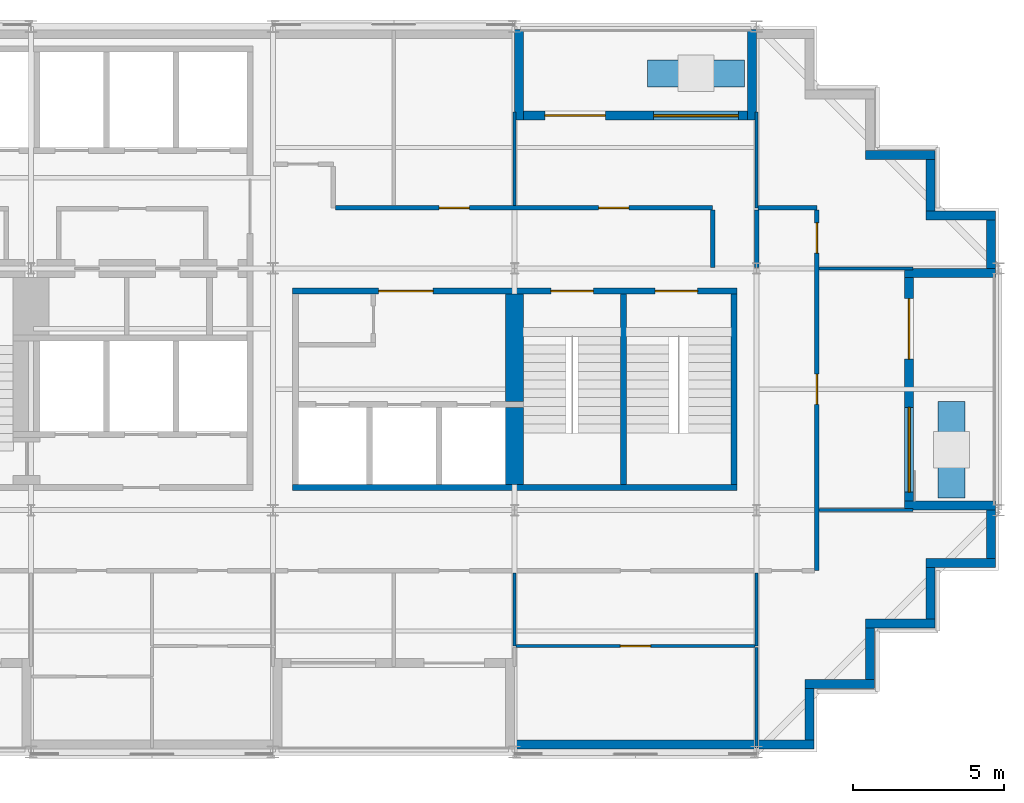
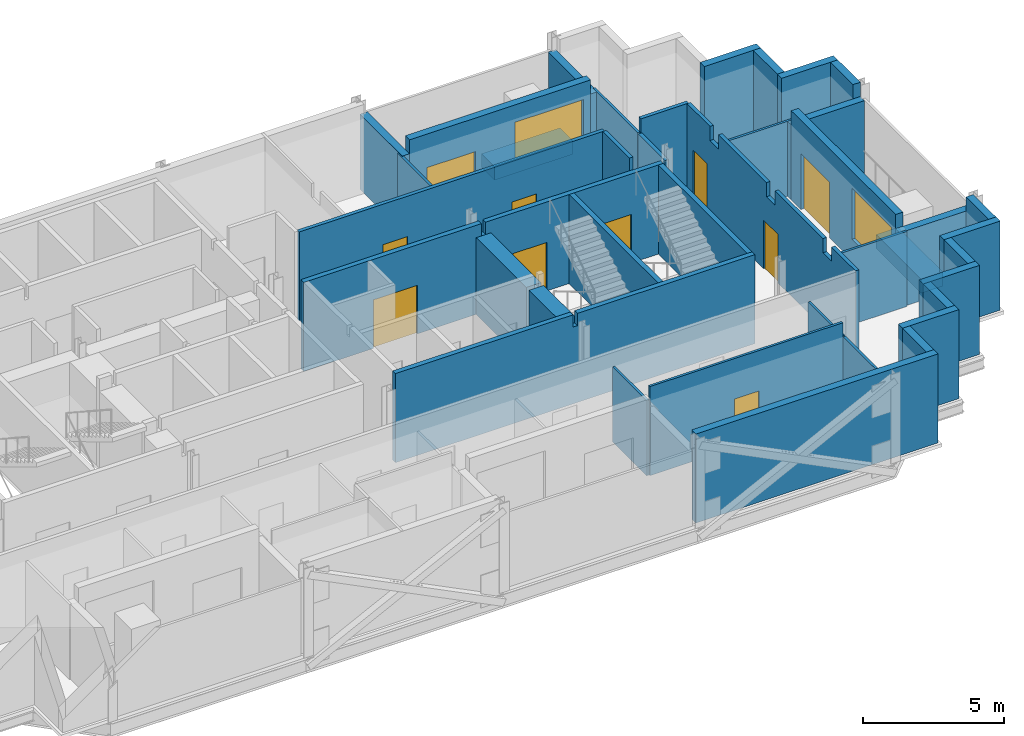
# One storey, part 7 of 10: 39 walls, 10 doors, 2 windows, 12 openings.
"""IFC4 building model written with IfcOpenShell, lengths in metres."""

from ifc_helpers import new_model, si_unit, direction, frame, frame_2d, origin, place, context, subcontext, project, spatial, polyline, rectangle, outline, extrude, material, layer, layer_set, type_object, element, fill, save


model = new_model("IFC4")

# Units and contexts
model_context = context("Model", 3, precision=1e-05, world=origin(), true_north=direction((0.0, 1.0)))
body_context = subcontext(model_context, "Body", "Model", "MODEL_VIEW")
ifc_project = project(units=[si_unit("LENGTHUNIT", "METRE"), si_unit("AREAUNIT", "SQUARE_METRE"), si_unit("VOLUMEUNIT", "CUBIC_METRE"), si_unit("PLANEANGLEUNIT", "RADIAN"), si_unit("MASSUNIT", "GRAM", prefix="KILO")], contexts=[model_context])

# Site, building, storey
site_placement = place(None, origin())
site = spatial("IfcSite", under=ifc_project, at=site_placement, CompositionType="ELEMENT")
building_placement = place(site_placement, origin())
building = spatial("IfcBuilding", under=site, at=building_placement, Name="Immortelle Media Tower", CompositionType="ELEMENT")
storey_placement = place(building_placement, frame((0.0, 0.0, 291.0)))
storey = spatial("IfcBuildingStorey", under=building, at=storey_placement, Name="L64", CompositionType="ELEMENT", Elevation=291.0)

# Wall, openings, doors
ifc_material_1 = material(Name="Fire-rated gypsum board", Category="gypsum")
ifc_layer_1 = layer(ifc_material_1, 0.012451171875)
ifc_material_2 = material(Name="Steel ASTM A653 SS Gr 50 stud frame with mineral wool", Category="steel")
ifc_layer_2 = layer(ifc_material_2, 0.125)
ifc_layer_3 = layer(ifc_material_1, 0.012451171875)
ifc_layer_set_1 = layer_set([ifc_layer_1, ifc_layer_2, ifc_layer_3], Name="Steel ASTM A653 SS Gr 50 stud frame with mineral wool")
wall_type_1 = type_object("IfcWallType", Name="Corridor wall 150", PredefinedType="PARTITIONING", material=ifc_layer_set_1)
wall_1_placement = place(storey_placement, frame((42.0, 6.0, 0.0), z_axis=(0.0, 0.0, 1.0), x_axis=(0.0, 1.0, 0.0)))
wall_1 = element("IfcWall", 1, at=wall_1_placement, inside=storey, type_object=wall_type_1, Name="Partition L64-019", PredefinedType="PARTITIONING", context=body_context, shape_type="SweptSolid", body=[
    extrude(outline(polyline([(0.0, 0.0), (11.925048828125, 0.0), (11.925048828125, 3.85009765625), (10.300048828125, 3.85009765625), (10.298095703125, 3.238037109375), (9.701904296875, 3.238037109375), (9.699951171875, 3.85009765625), (6.300048828125, 3.85009765625), (6.298095703125, 3.238037109375), (5.701904296875, 3.238037109375), (5.699951171875, 3.85009765625), (2.300048828125, 3.85009765625), (2.298095703125, 3.238037109375), (1.701904296875, 3.238037109375), (1.699951171875, 3.85009765625), (0.0, 3.85009765625), (0.0, 0.0)])), frame((0.0, 0.074951171875, 0.0), z_axis=(0.0, -1.0, 0.0), x_axis=(1.0, 0.0, 0.0)), (0.0, 0.0, 1.0), 0.14990234375),
])
opening_1_placement = place(wall_1_placement, frame((6.5, 0.0, 0.0), z_axis=(0.0, 0.0, 1.0), x_axis=(-1.0, 0.0, 0.0)))
opening_1 = element("IfcOpeningElement", 2, at=opening_1_placement, cuts=wall_1, Name="Opening X6-F015", PredefinedType="OPENING", context=body_context, shape_type="SweptSolid", body=[
    extrude(rectangle(XDim=1.0, YDim=2.10009765625, at=frame_2d((0.5, 1.050048828125))), frame((0.0, 0.0849609375, 0.0), z_axis=(0.0, -1.0, 0.0), x_axis=(1.0, 0.0, 0.0)), (0.0, 0.0, 1.0), 0.169921875),
])
opening_2_placement = place(wall_1_placement, frame((11.5, 0.0, 0.0), z_axis=(0.0, 0.0, 1.0), x_axis=(-1.0, 0.0, 0.0)))
opening_2 = element("IfcOpeningElement", 3, at=opening_2_placement, cuts=wall_1, Name="Opening X6-F018", PredefinedType="OPENING", context=body_context, shape_type="SweptSolid", body=[
    extrude(rectangle(XDim=1.0, YDim=2.10009765625, at=frame_2d((0.5, 1.050048828125))), frame((0.0, 0.0849609375, 0.0), z_axis=(0.0, -1.0, 0.0), x_axis=(1.0, 0.0, 0.0)), (0.0, 0.0, 1.0), 0.169921875),
])
ifc_material_3 = material(Name="Timber veneered door leaf, galvanised steel frame ASTM A653", Category="steel")
door_type_1 = type_object("IfcDoorType", Name="Room door 1000 x 2100", OperationType="NOTDEFINED", PredefinedType="DOOR", material=ifc_material_3)
door_1_placement = place(opening_1_placement, origin())
door_1 = element("IfcDoor", 4, at=door_1_placement, inside=storey, type_object=door_type_1, Name="Door X6-F015", OperationType="SINGLE_SWING_RIGHT", OverallHeight=2.10009765625, OverallWidth=1.0, PredefinedType="DOOR", context=body_context, shape_type="SweptSolid", body=[
    extrude(rectangle(XDim=1.0, YDim=2.10009765625, at=frame_2d((0.5, 1.050048828125))), frame((0.0, 0.02490234375, 0.0), z_axis=(0.0, -1.0, 0.0), x_axis=(1.0, 0.0, 0.0)), (0.0, 0.0, 1.0), 0.050048828125),
])
fill(opening_1, door_1)
door_2_placement = place(opening_2_placement, origin())
door_2 = element("IfcDoor", 5, at=door_2_placement, inside=storey, type_object=door_type_1, Name="Door X6-F018", OperationType="SINGLE_SWING_RIGHT", OverallHeight=2.10009765625, OverallWidth=1.0, PredefinedType="DOOR", context=body_context, shape_type="SweptSolid", body=[
    extrude(rectangle(XDim=1.0, YDim=2.10009765625, at=frame_2d((0.5, 1.050048828125))), frame((0.0, 0.02490234375, 0.0), z_axis=(0.0, -1.0, 0.0), x_axis=(1.0, 0.0, 0.0)), (0.0, 0.0, 1.0), 0.050048828125),
])
fill(opening_2, door_2)

# Walls
wall_2_placement = place(storey_placement, frame((38.550048828125, 16.030029296875, 0.0), z_axis=(0.0, 0.0, 1.0), x_axis=(0.0, 1.0, 0.0)))
element("IfcWall", 6, at=wall_2_placement, inside=storey, type_object=wall_type_1, Name="Partition L64-027", PredefinedType="PARTITIONING", context=body_context, shape_type="SweptSolid", body=[
    extrude(rectangle(XDim=1.89501953125, YDim=0.14990234375, at=frame_2d((0.947509765625, 0.0))), origin(), (0.0, 0.0, 1.0), 3.85009765625),
])
wall_3_placement = place(storey_placement, frame((40.0, 16.030029296875, 0.0), z_axis=(0.0, 0.0, 1.0), x_axis=(0.0, 1.0, 0.0)))
element("IfcWall", 7, at=wall_3_placement, inside=storey, type_object=wall_type_1, Name="Partition L64-028", PredefinedType="PARTITIONING", context=body_context, shape_type="SweptSolid", body=[
    extrude(rectangle(XDim=1.89501953125, YDim=0.14990234375, at=frame_2d((0.947509765625, 0.0))), origin(), (0.0, 0.0, 1.0), 3.238037109375),
])

# Wall, openings, doors
wall_4_placement = place(storey_placement, frame((26.074951171875, 18.0, 0.0), z_axis=(0.0, 0.0, 1.0), x_axis=(1.0, 0.0, 0.0)))
wall_4 = element("IfcWall", 8, at=wall_4_placement, inside=storey, type_object=wall_type_1, Name="Partition L64-029", PredefinedType="PARTITIONING", context=body_context, shape_type="SweptSolid", body=[
    extrude(rectangle(XDim=12.47509765625, YDim=0.14990234375, at=frame_2d((6.237548828125, 0.0))), origin(), (0.0, 0.0, 1.0), 3.85009765625),
])
opening_3_placement = place(wall_4_placement, frame((8.699951171875, 0.0, 0.0)))
opening_3 = element("IfcOpeningElement", 9, at=opening_3_placement, cuts=wall_4, Name="Opening X6-F019", PredefinedType="OPENING", context=body_context, shape_type="SweptSolid", body=[
    extrude(rectangle(XDim=1.0, YDim=2.10009765625, at=frame_2d((0.5, 1.050048828125))), frame((0.0, 0.0849609375, 0.0), z_axis=(0.0, -1.0, 0.0), x_axis=(1.0, 0.0, 0.0)), (0.0, 0.0, 1.0), 0.169921875),
])
opening_4_placement = place(wall_4_placement, frame((3.425048828125, 0.0, 0.0)))
opening_4 = element("IfcOpeningElement", 10, at=opening_4_placement, cuts=wall_4, Name="Opening X6-F021", PredefinedType="OPENING", context=body_context, shape_type="SweptSolid", body=[
    extrude(rectangle(XDim=1.0, YDim=2.10009765625, at=frame_2d((0.5, 1.050048828125))), frame((0.0, 0.0849609375, 0.0), z_axis=(0.0, -1.0, 0.0), x_axis=(1.0, 0.0, 0.0)), (0.0, 0.0, 1.0), 0.169921875),
])
door_3_placement = place(opening_3_placement, origin())
door_3 = element("IfcDoor", 11, at=door_3_placement, inside=storey, type_object=door_type_1, Name="Door X6-F019", OperationType="SINGLE_SWING_LEFT", OverallHeight=2.10009765625, OverallWidth=1.0, PredefinedType="DOOR", context=body_context, shape_type="SweptSolid", body=[
    extrude(rectangle(XDim=1.0, YDim=2.10009765625, at=frame_2d((0.5, 1.050048828125))), frame((0.0, 0.02490234375, 0.0), z_axis=(0.0, -1.0, 0.0), x_axis=(1.0, 0.0, 0.0)), (0.0, 0.0, 1.0), 0.050048828125),
])
fill(opening_3, door_3)
door_4_placement = place(opening_4_placement, origin())
door_4 = element("IfcDoor", 12, at=door_4_placement, inside=storey, type_object=door_type_1, Name="Door X6-F021", OperationType="SINGLE_SWING_RIGHT", OverallHeight=2.10009765625, OverallWidth=1.0, PredefinedType="DOOR", context=body_context, shape_type="SweptSolid", body=[
    extrude(rectangle(XDim=1.0, YDim=2.10009765625, at=frame_2d((0.5, 1.050048828125))), frame((0.0, 0.02490234375, 0.0), z_axis=(0.0, -1.0, 0.0), x_axis=(1.0, 0.0, 0.0)), (0.0, 0.0, 1.0), 0.050048828125),
])
fill(opening_4, door_4)

# Walls
wall_5_placement = place(storey_placement, frame((40.050048828125, 18.0, 0.0), z_axis=(0.0, 0.0, 1.0), x_axis=(1.0, 0.0, 0.0)))
element("IfcWall", 13, at=wall_5_placement, inside=storey, type_object=wall_type_1, Name="Partition L64-033", PredefinedType="PARTITIONING", context=body_context, shape_type="SweptSolid", body=[
    extrude(rectangle(XDim=1.949951171875, YDim=0.14990234375, at=frame_2d((0.97509765625, 0.0))), origin(), (0.0, 0.0, 1.0), 3.85009765625),
])
ifc_material_4 = material(Name="Pale aluminium cladding panel", Category="aluminium")
ifc_layer_4 = layer(ifc_material_4, 0.030029296875)
ifc_layer_5 = layer(ifc_material_2, 0.257568359375)
ifc_material_5 = material(Name="Moisture-resistant gypsum board", Category="gypsum")
ifc_layer_6 = layer(ifc_material_5, 0.012451171875)
ifc_layer_set_2 = layer_set([ifc_layer_4, ifc_layer_5, ifc_layer_6], Name="Steel ASTM A653 SS Gr 50 stud frame with mineral wool")
wall_type_2 = type_object("IfcWallType", Name="Facade wall 300", PredefinedType="SOLIDWALL", material=ifc_layer_set_2)
wall_6_placement = place(storey_placement, frame((32.0, 0.25, 0.0), z_axis=(0.0, 0.0, 1.0), x_axis=(1.0, 0.0, 0.0)))
element("IfcWall", 14, at=wall_6_placement, inside=storey, type_object=wall_type_2, Name="Facade wall L64 S6", PredefinedType="SOLIDWALL", context=body_context, shape_type="SweptSolid", body=[
    extrude(rectangle(XDim=9.89990234375, YDim=0.300048828125, at=frame_2d((4.949951171875, 0.0))), origin(), (0.0, 0.0, 1.0), 3.85009765625),
])
wall_7_placement = place(storey_placement, frame((41.75, 0.39990234375, 0.0), z_axis=(0.0, 0.0, 1.0), x_axis=(0.0, 1.0, 0.0)))
element("IfcWall", 15, at=wall_7_placement, inside=storey, type_object=wall_type_2, Name="Facade wall L64 E7", PredefinedType="SOLIDWALL", context=body_context, shape_type="SweptSolid", body=[
    extrude(rectangle(XDim=1.7001953125, YDim=0.300048828125, at=frame_2d((0.85009765625, 0.0))), origin(), (0.0, 0.0, 1.0), 3.85009765625),
])
wall_8_placement = place(storey_placement, frame((41.60009765625, 2.25, 0.0), z_axis=(0.0, 0.0, 1.0), x_axis=(1.0, 0.0, 0.0)))
element("IfcWall", 16, at=wall_8_placement, inside=storey, type_object=wall_type_2, Name="Facade wall L64 S8", PredefinedType="SOLIDWALL", context=body_context, shape_type="SweptSolid", body=[
    extrude(rectangle(XDim=2.2998046875, YDim=0.300048828125, at=frame_2d((1.14990234375, 0.0))), origin(), (0.0, 0.0, 1.0), 3.85009765625),
])
wall_9_placement = place(storey_placement, frame((43.75, 2.39990234375, 0.0), z_axis=(0.0, 0.0, 1.0), x_axis=(0.0, 1.0, 0.0)))
element("IfcWall", 17, at=wall_9_placement, inside=storey, type_object=wall_type_2, Name="Facade wall L64 E9", PredefinedType="SOLIDWALL", context=body_context, shape_type="SweptSolid", body=[
    extrude(rectangle(XDim=1.7001953125, YDim=0.300048828125, at=frame_2d((0.85009765625, 0.0))), origin(), (0.0, 0.0, 1.0), 3.85009765625),
])
wall_10_placement = place(storey_placement, frame((43.60009765625, 4.25, 0.0), z_axis=(0.0, 0.0, 1.0), x_axis=(1.0, 0.0, 0.0)))
element("IfcWall", 18, at=wall_10_placement, inside=storey, type_object=wall_type_2, Name="Facade wall L64 S10", PredefinedType="SOLIDWALL", context=body_context, shape_type="SweptSolid", body=[
    extrude(rectangle(XDim=2.2998046875, YDim=0.300048828125, at=frame_2d((1.14990234375, 0.0))), origin(), (0.0, 0.0, 1.0), 3.85009765625),
])
wall_11_placement = place(storey_placement, frame((45.75, 4.39990234375, 0.0), z_axis=(0.0, 0.0, 1.0), x_axis=(0.0, 1.0, 0.0)))
element("IfcWall", 19, at=wall_11_placement, inside=storey, type_object=wall_type_2, Name="Facade wall L64 E11", PredefinedType="SOLIDWALL", context=body_context, shape_type="SweptSolid", body=[
    extrude(rectangle(XDim=1.7001953125, YDim=0.300048828125, at=frame_2d((0.85009765625, 0.0))), origin(), (0.0, 0.0, 1.0), 3.85009765625),
])
wall_12_placement = place(storey_placement, frame((45.60009765625, 6.25, 0.0), z_axis=(0.0, 0.0, 1.0), x_axis=(1.0, 0.0, 0.0)))
element("IfcWall", 20, at=wall_12_placement, inside=storey, type_object=wall_type_2, Name="Facade wall L64 S12", PredefinedType="SOLIDWALL", context=body_context, shape_type="SweptSolid", body=[
    extrude(rectangle(XDim=2.2998046875, YDim=0.300048828125, at=frame_2d((1.14990234375, 0.0))), origin(), (0.0, 0.0, 1.0), 3.85009765625),
])
wall_13_placement = place(storey_placement, frame((47.75, 6.39990234375, 0.0), z_axis=(0.0, 0.0, 1.0), x_axis=(0.0, 1.0, 0.0)))
element("IfcWall", 21, at=wall_13_placement, inside=storey, type_object=wall_type_2, Name="Facade wall L64 E13", PredefinedType="SOLIDWALL", context=body_context, shape_type="SweptSolid", body=[
    extrude(rectangle(XDim=1.60009765625, YDim=0.300048828125, at=frame_2d((0.800048828125, 0.0))), origin(), (0.0, 0.0, 1.0), 3.85009765625),
])

# Wall, openings, door, window
wall_14_placement = place(storey_placement, frame((45.050048828125, 8.300048828125, 0.0), z_axis=(0.0, 0.0, 1.0), x_axis=(0.0, 1.0, 0.0)))
wall_14 = element("IfcWall", 22, at=wall_14_placement, inside=storey, type_object=wall_type_2, Name="Loggia wall L64 E13", PredefinedType="SOLIDWALL", context=body_context, shape_type="SweptSolid", body=[
    extrude(rectangle(XDim=7.39990234375, YDim=0.300048828125, at=frame_2d((3.699951171875, 0.0))), origin(), (0.0, 0.0, 1.0), 3.85009765625),
])
opening_5_placement = place(wall_14_placement, frame((0.300048828125, 0.0, 0.89990234375)))
opening_5 = element("IfcOpeningElement", 23, at=opening_5_placement, cuts=wall_14, Name="Opening W1", PredefinedType="OPENING", context=body_context, shape_type="SweptSolid", body=[
    extrude(rectangle(XDim=2.800048828125, YDim=2.199951171875, at=frame_2d((1.39990234375, 1.10009765625))), frame((0.0, 0.159912109375, 0.0), z_axis=(0.0, -1.0, 0.0), x_axis=(1.0, 0.0, 0.0)), (0.0, 0.0, 1.0), 0.320068359375),
])
opening_6_placement = place(wall_14_placement, frame((4.699951171875, 0.0, 0.0)))
opening_6 = element("IfcOpeningElement", 24, at=opening_6_placement, cuts=wall_14, Name="Opening X6-E003", PredefinedType="OPENING", context=body_context, shape_type="SweptSolid", body=[
    extrude(rectangle(XDim=2.0, YDim=2.39990234375, at=frame_2d((1.0, 1.199951171875))), frame((0.0, 0.159912109375, 0.0), z_axis=(0.0, -1.0, 0.0), x_axis=(1.0, 0.0, 0.0)), (0.0, 0.0, 1.0), 0.320068359375),
])
ifc_material_6 = material(Name="Aluminium frame, glazed leaves", Category="aluminium")
door_type_2 = type_object("IfcDoorType", Name="Loggia door 2000 x 2400", OperationType="DOUBLE_DOOR_SINGLE_SWING", PredefinedType="DOOR", material=ifc_material_6)
door_5_placement = place(opening_6_placement, origin())
door_5 = element("IfcDoor", 25, at=door_5_placement, inside=storey, type_object=door_type_2, Name="Door X6-E003", OperationType="DOUBLE_DOOR_SINGLE_SWING", OverallHeight=2.39990234375, OverallWidth=2.0, PredefinedType="DOOR", context=body_context, shape_type="SweptSolid", body=[
    extrude(rectangle(XDim=2.0, YDim=2.39990234375, at=frame_2d((1.0, 1.199951171875))), frame((0.0, 0.02490234375, 0.0), z_axis=(0.0, -1.0, 0.0), x_axis=(1.0, 0.0, 0.0)), (0.0, 0.0, 1.0), 0.050048828125),
])
fill(opening_6, door_5)
ifc_material_7 = material(Name="Aluminium frame", Category="aluminium")
window_type = type_object("IfcWindowType", Name="Window 2800 x 2200", PartitioningType="SINGLE_PANEL", PredefinedType="WINDOW", material=ifc_material_7)
window_1_placement = place(opening_5_placement, origin())
window_1 = element("IfcWindow", 26, at=window_1_placement, inside=storey, type_object=window_type, Name="Window L64 L64-R13-B0", OverallHeight=2.199951171875, OverallWidth=2.800048828125, PartitioningType="SINGLE_PANEL", PredefinedType="WINDOW", context=body_context, shape_type="SweptSolid", body=[
    extrude(rectangle(XDim=2.800048828125, YDim=2.199951171875, at=frame_2d((1.39990234375, 1.10009765625))), frame((0.0, 0.030029296875, 0.0), z_axis=(0.0, -1.0, 0.0), x_axis=(1.0, 0.0, 0.0)), (0.0, 0.0, 1.0), 0.06005859375),
])
fill(opening_5, window_1)

# Walls
for number, where, z_axis, x_axis, name in (
    (27, (47.89990234375, 8.14990234375, 0.0), (0.0, 0.0, 1.0), (-1.0, 0.0, 0.0), "Loggia cheek wall L64 E"),
    (28, (47.89990234375, 15.85009765625, 0.0), (0.0, 0.0, 1.0), (-1.0, 0.0, 0.0), "Loggia cheek wall L64 E"),
):
    element("IfcWall", number, at=place(storey_placement, frame(where, z_axis=z_axis, x_axis=x_axis)), inside=storey, type_object=wall_type_2, Name=name, PredefinedType="SOLIDWALL", context=body_context, shape_type="SweptSolid", body=[
        extrude(rectangle(XDim=3.0, YDim=0.300048828125, at=frame_2d((1.5, 0.0))), origin(), (0.0, 0.0, 1.0), 3.237060546875),
    ])
wall_15_placement = place(storey_placement, frame((47.75, 16.0, 0.0), z_axis=(0.0, 0.0, 1.0), x_axis=(0.0, 1.0, 0.0)))
element("IfcWall", 29, at=wall_15_placement, inside=storey, type_object=wall_type_2, Name="Facade wall L64 E13", PredefinedType="SOLIDWALL", context=body_context, shape_type="SweptSolid", body=[
    extrude(rectangle(XDim=1.60009765625, YDim=0.300048828125, at=frame_2d((0.800048828125, 0.0))), origin(), (0.0, 0.0, 1.0), 3.85009765625),
])
wall_16_placement = place(storey_placement, frame((47.89990234375, 17.75, 0.0), z_axis=(0.0, 0.0, 1.0), x_axis=(-1.0, 0.0, 0.0)))
element("IfcWall", 30, at=wall_16_placement, inside=storey, type_object=wall_type_2, Name="Facade wall L64 N14", PredefinedType="SOLIDWALL", context=body_context, shape_type="SweptSolid", body=[
    extrude(rectangle(XDim=2.2998046875, YDim=0.300048828125, at=frame_2d((1.14990234375, 0.0))), origin(), (0.0, 0.0, 1.0), 3.85009765625),
])
wall_17_placement = place(storey_placement, frame((45.75, 17.89990234375, 0.0), z_axis=(0.0, 0.0, 1.0), x_axis=(0.0, 1.0, 0.0)))
element("IfcWall", 31, at=wall_17_placement, inside=storey, type_object=wall_type_2, Name="Facade wall L64 E15", PredefinedType="SOLIDWALL", context=body_context, shape_type="SweptSolid", body=[
    extrude(rectangle(XDim=1.7001953125, YDim=0.300048828125, at=frame_2d((0.85009765625, 0.0))), origin(), (0.0, 0.0, 1.0), 3.85009765625),
])
wall_18_placement = place(storey_placement, frame((45.89990234375, 19.75, 0.0), z_axis=(0.0, 0.0, 1.0), x_axis=(-1.0, 0.0, 0.0)))
element("IfcWall", 32, at=wall_18_placement, inside=storey, type_object=wall_type_2, Name="Facade wall L64 N16", PredefinedType="SOLIDWALL", context=body_context, shape_type="SweptSolid", body=[
    extrude(rectangle(XDim=2.2998046875, YDim=0.300048828125, at=frame_2d((1.14990234375, 0.0))), origin(), (0.0, 0.0, 1.0), 3.85009765625),
])

# Wall, openings, door, window
wall_19_placement = place(storey_placement, frame((39.699951171875, 21.050048828125, 0.0), z_axis=(0.0, 0.0, 1.0), x_axis=(-1.0, 0.0, 0.0)))
wall_19 = element("IfcWall", 33, at=wall_19_placement, inside=storey, type_object=wall_type_2, Name="Loggia wall L64 N20", PredefinedType="SOLIDWALL", context=body_context, shape_type="SweptSolid", body=[
    extrude(rectangle(XDim=7.39990234375, YDim=0.300048828125, at=frame_2d((3.699951171875, 0.0))), origin(), (0.0, 0.0, 1.0), 3.85009765625),
])
opening_7_placement = place(wall_19_placement, frame((0.300048828125, 0.0, 0.89990234375)))
opening_7 = element("IfcOpeningElement", 34, at=opening_7_placement, cuts=wall_19, Name="Opening W1", PredefinedType="OPENING", context=body_context, shape_type="SweptSolid", body=[
    extrude(rectangle(XDim=2.800048828125, YDim=2.199951171875, at=frame_2d((1.39990234375, 1.10009765625))), frame((0.0, 0.159912109375, 0.0), z_axis=(0.0, -1.0, 0.0), x_axis=(1.0, 0.0, 0.0)), (0.0, 0.0, 1.0), 0.320068359375),
])
opening_8_placement = place(wall_19_placement, frame((4.699951171875, 0.0, 0.0)))
opening_8 = element("IfcOpeningElement", 35, at=opening_8_placement, cuts=wall_19, Name="Opening X6-E004", PredefinedType="OPENING", context=body_context, shape_type="SweptSolid", body=[
    extrude(rectangle(XDim=2.0, YDim=2.39990234375, at=frame_2d((1.0, 1.199951171875))), frame((0.0, 0.159912109375, 0.0), z_axis=(0.0, -1.0, 0.0), x_axis=(1.0, 0.0, 0.0)), (0.0, 0.0, 1.0), 0.320068359375),
])
door_6_placement = place(opening_8_placement, origin())
door_6 = element("IfcDoor", 36, at=door_6_placement, inside=storey, type_object=door_type_2, Name="Door X6-E004", OperationType="DOUBLE_DOOR_SINGLE_SWING", OverallHeight=2.39990234375, OverallWidth=2.0, PredefinedType="DOOR", context=body_context, shape_type="SweptSolid", body=[
    extrude(rectangle(XDim=2.0, YDim=2.39990234375, at=frame_2d((1.0, 1.199951171875))), frame((0.0, 0.02490234375, 0.0), z_axis=(0.0, -1.0, 0.0), x_axis=(1.0, 0.0, 0.0)), (0.0, 0.0, 1.0), 0.050048828125),
])
fill(opening_8, door_6)
window_2_placement = place(opening_7_placement, origin())
window_2 = element("IfcWindow", 37, at=window_2_placement, inside=storey, type_object=window_type, Name="Window L64 L64-R20-B0", OverallHeight=2.199951171875, OverallWidth=2.800048828125, PartitioningType="SINGLE_PANEL", PredefinedType="WINDOW", context=body_context, shape_type="SweptSolid", body=[
    extrude(rectangle(XDim=2.800048828125, YDim=2.199951171875, at=frame_2d((1.39990234375, 1.10009765625))), frame((0.0, 0.030029296875, 0.0), z_axis=(0.0, -1.0, 0.0), x_axis=(1.0, 0.0, 0.0)), (0.0, 0.0, 1.0), 0.06005859375),
])
fill(opening_7, window_2)

# Walls
wall_20_placement = place(storey_placement, frame((39.85009765625, 23.89990234375, 0.0), z_axis=(0.0, 0.0, 1.0), x_axis=(0.0, -1.0, 0.0)))
element("IfcWall", 38, at=wall_20_placement, inside=storey, type_object=wall_type_2, Name="Loggia cheek wall L64 N", PredefinedType="SOLIDWALL", context=body_context, shape_type="SweptSolid", body=[
    extrude(rectangle(XDim=3.0, YDim=0.300048828125, at=frame_2d((1.5, 0.0))), origin(), (0.0, 0.0, 1.0), 3.237060546875),
])
wall_21_placement = place(storey_placement, frame((32.14990234375, 23.89990234375, 0.0), z_axis=(0.0, 0.0, 1.0), x_axis=(0.0, -1.0, 0.0)))
element("IfcWall", 39, at=wall_21_placement, inside=storey, type_object=wall_type_2, Name="Loggia cheek wall L64 N", PredefinedType="SOLIDWALL", context=body_context, shape_type="SweptSolid", body=[
    extrude(rectangle(XDim=3.0, YDim=0.300048828125, at=frame_2d((1.5, 0.0))), origin(), (0.0, 0.0, 1.0), 3.2470703125),
])
ifc_material_8 = material(Name="Gypsum board", Category="gypsum")
ifc_layer_7 = layer(ifc_material_8, 0.012451171875)
ifc_layer_8 = layer(ifc_material_2, 0.074951171875)
ifc_layer_9 = layer(ifc_material_8, 0.012451171875)
ifc_layer_set_3 = layer_set([ifc_layer_7, ifc_layer_8, ifc_layer_9], Name="Steel ASTM A653 SS Gr 50 stud frame with mineral wool")
wall_type_3 = type_object("IfcWallType", Name="Partition 100", PredefinedType="PARTITIONING", material=ifc_layer_set_3)
wall_22_placement = place(storey_placement, frame((40.0, 0.1298828125, 0.0), z_axis=(0.0, 0.0, 1.0), x_axis=(0.0, 1.0, 0.0)))
element("IfcWall", 40, at=wall_22_placement, inside=storey, type_object=wall_type_3, Name="Partition L64-002", PredefinedType="PARTITIONING", context=body_context, shape_type="SweptSolid", body=[
    extrude(rectangle(XDim=3.320068359375, YDim=0.10009765625, at=frame_2d((1.66015625, 0.0))), origin(), (0.0, 0.0, 1.0), 3.238037109375),
])

# Wall, opening, door
wall_23_placement = place(storey_placement, frame((32.050048828125, 3.5, 0.0), z_axis=(0.0, 0.0, 1.0), x_axis=(1.0, 0.0, 0.0)))
wall_23 = element("IfcWall", 41, at=wall_23_placement, inside=storey, type_object=wall_type_3, Name="Partition L64-014", PredefinedType="PARTITIONING", context=body_context, shape_type="SweptSolid", body=[
    extrude(rectangle(XDim=7.89990234375, YDim=0.10009765625, at=frame_2d((3.949951171875, 0.0))), origin(), (0.0, 0.0, 1.0), 3.85009765625),
])
opening_9_placement = place(wall_23_placement, frame((3.449951171875, 0.0, 0.0)))
opening_9 = element("IfcOpeningElement", 42, at=opening_9_placement, cuts=wall_23, Name="Opening X6-F006", PredefinedType="OPENING", context=body_context, shape_type="SweptSolid", body=[
    extrude(rectangle(XDim=1.0, YDim=2.10009765625, at=frame_2d((0.5, 1.050048828125))), frame((0.0, 0.06005859375, 0.0), z_axis=(0.0, -1.0, 0.0), x_axis=(1.0, 0.0, 0.0)), (0.0, 0.0, 1.0), 0.1201171875),
])
door_7_placement = place(opening_9_placement, origin())
door_7 = element("IfcDoor", 43, at=door_7_placement, inside=storey, type_object=door_type_1, Name="Door X6-F006", OperationType="SINGLE_SWING_RIGHT", OverallHeight=2.10009765625, OverallWidth=1.0, PredefinedType="DOOR", context=body_context, shape_type="SweptSolid", body=[
    extrude(rectangle(XDim=1.0, YDim=2.10009765625, at=frame_2d((0.5, 1.050048828125))), frame((0.0, 0.02490234375, 0.0), z_axis=(0.0, -1.0, 0.0), x_axis=(1.0, 0.0, 0.0)), (0.0, 0.0, 1.0), 0.050048828125),
])
fill(opening_9, door_7)

# Walls
for number, where, z_axis, x_axis, name in (
    (44, (32.0, 3.5, 0.0), (0.0, 0.0, 1.0), (0.0, 1.0, 0.0), "Partition L64-015"),
    (45, (40.0, 3.5, 0.0), (0.0, 0.0, 1.0), (0.0, 1.0, 0.0), "Partition L64-016"),
):
    element("IfcWall", number, at=place(storey_placement, frame(where, z_axis=z_axis, x_axis=x_axis)), inside=storey, type_object=wall_type_3, Name=name, PredefinedType="PARTITIONING", context=body_context, shape_type="SweptSolid", body=[
        extrude(rectangle(XDim=2.425048828125, YDim=0.10009765625, at=frame_2d((1.21240234375, 0.0))), origin(), (0.0, 0.0, 1.0), 3.238037109375),
    ])
for number, where, z_axis, x_axis, name in (
    (46, (42.074951171875, 8.0, 0.0), (0.0, 0.0, 1.0), (1.0, 0.0, 0.0), "Partition L64-021"),
    (47, (42.074951171875, 16.0, 0.0), (0.0, 0.0, 1.0), (1.0, 0.0, 0.0), "Partition L64-026"),
    (48, (32.0, 18.074951171875, 0.0), (0.0, 0.0, 1.0), (0.0, 1.0, 0.0), "Partition L64-032"),
):
    element("IfcWall", number, at=place(storey_placement, frame(where, z_axis=z_axis, x_axis=x_axis)), inside=storey, type_object=wall_type_3, Name=name, PredefinedType="PARTITIONING", context=body_context, shape_type="SweptSolid", body=[
        extrude(rectangle(XDim=3.094970703125, YDim=0.10009765625, at=frame_2d((1.54736328125, 0.0))), origin(), (0.0, 0.0, 1.0), 3.238037109375),
    ])
wall_24_placement = place(storey_placement, frame((40.0, 18.0, 0.0), z_axis=(0.0, 0.0, 1.0), x_axis=(0.0, 1.0, 0.0)))
element("IfcWall", 49, at=wall_24_placement, inside=storey, type_object=wall_type_3, Name="Partition L64-034", PredefinedType="PARTITIONING", context=body_context, shape_type="SweptSolid", body=[
    extrude(rectangle(XDim=3.169921875, YDim=0.10009765625, at=frame_2d((1.5849609375, 0.0))), origin(), (0.0, 0.0, 1.0), 3.238037109375),
])
ifc_layer_10 = layer(ifc_material_4, 0.0029296875)
ifc_material_9 = material(Name="Steel ASTM A572 Gr 50 planter shell", Category="steel")
ifc_layer_11 = layer(ifc_material_9, 0.011962890625)
ifc_material_10 = material(Name="Planting substrate", Category="soil")
ifc_layer_12 = layer(ifc_material_10, 0.873046875)
ifc_layer_13 = layer(ifc_material_9, 0.011962890625)
ifc_layer_set_4 = layer_set([ifc_layer_10, ifc_layer_11, ifc_layer_12, ifc_layer_13], Name="Steel ASTM A572 Gr 50 planter shell")
wall_type_4 = type_object("IfcWallType", Name="Planter wall 900", PredefinedType="SOLIDWALL", material=ifc_layer_set_4)
for number, where, z_axis, x_axis, name in (
    (50, (46.449951171875, 8.39990234375, 0.0), (0.0, 0.0, 1.0), (0.0, 1.0, 0.0), "Planter L64 E0"),
    (51, (39.60009765625, 22.449951171875, 0.0), (0.0, 0.0, 1.0), (-1.0, 0.0, 0.0), "Planter L64 N0"),
):
    element("IfcWall", number, at=place(storey_placement, frame(where, z_axis=z_axis, x_axis=x_axis)), inside=storey, type_object=wall_type_4, Name=name, PredefinedType="SOLIDWALL", context=body_context, shape_type="SweptSolid", body=[
        extrude(rectangle(XDim=3.2001953125, YDim=0.89990234375, at=frame_2d((1.60009765625, 0.0))), origin(), (0.0, 0.0, 1.0), 0.60009765625),
    ])
ifc_material_11 = material(Name="Concrete C60", Category="concrete")
ifc_layer_14 = layer(ifc_material_11, 0.199951171875)
ifc_layer_set_5 = layer_set([ifc_layer_14], Name="Concrete C60")
wall_type_5 = type_object("IfcWallType", Name="Stair shaft wall 200", PredefinedType="PARTITIONING", material=ifc_layer_set_5)
wall_25_placement = place(storey_placement, frame((24.64990234375, 8.75, 0.0), z_axis=(0.0, 0.0, 1.0), x_axis=(1.0, 0.0, 0.0)))
element("IfcWall", 52, at=wall_25_placement, inside=storey, type_object=wall_type_5, Name="Stair shaft wall SE", PredefinedType="PARTITIONING", context=body_context, shape_type="SweptSolid", body=[
    extrude(outline(polyline([(0.0, 0.0), (14.7001953125, 0.0), (14.699951171875, 3.85009765625), (7.4375, 3.85009765625), (7.4365234375, 3.318115234375), (7.263427734375, 3.318115234375), (7.262451171875, 3.85009765625), (0.0, 3.85009765625), (0.0, 0.0)])), frame((0.0, 0.10009765625, 0.0), z_axis=(0.0, -1.0, 0.0), x_axis=(1.0, 0.0, 0.0)), (0.0, 0.0, 1.0), 0.199951171875),
])

# Wall, openings, doors
wall_26_placement = place(storey_placement, frame((24.64990234375, 15.25, 0.0), z_axis=(0.0, 0.0, 1.0), x_axis=(1.0, 0.0, 0.0)))
wall_26 = element("IfcWall", 53, at=wall_26_placement, inside=storey, type_object=wall_type_5, Name="Stair shaft wall SE", PredefinedType="PARTITIONING", context=body_context, shape_type="SweptSolid", body=[
    extrude(outline(polyline([(0.0, 0.0), (14.7001953125, 0.0), (14.699951171875, 3.85009765625), (7.4375, 3.85009765625), (7.4365234375, 3.318115234375), (7.263427734375, 3.318115234375), (7.262451171875, 3.85009765625), (0.0, 3.85009765625), (0.0, 0.0)])), frame((0.0, 0.10009765625, 0.0), z_axis=(0.0, -1.0, 0.0), x_axis=(1.0, 0.0, 0.0)), (0.0, 0.0, 1.0), 0.199951171875),
])
opening_10_placement = place(wall_26_placement, frame((2.85009765625, 0.0, 0.0)))
opening_10 = element("IfcOpeningElement", 54, at=opening_10_placement, cuts=wall_26, Name="Opening X6-K023", PredefinedType="OPENING", context=body_context, shape_type="SweptSolid", body=[
    extrude(rectangle(XDim=1.800048828125, YDim=2.10009765625, at=frame_2d((0.89990234375, 1.050048828125))), frame((0.0, 0.10986328125, 0.0), z_axis=(0.0, -1.0, 0.0), x_axis=(1.0, 0.0, 0.0)), (0.0, 0.0, 1.0), 0.219970703125),
])
opening_11_placement = place(wall_26_placement, frame((9.949951171875, 0.0, 0.0), z_axis=(0.0, 0.0, 1.0), x_axis=(-1.0, 0.0, 0.0)))
opening_11 = element("IfcOpeningElement", 55, at=opening_11_placement, cuts=wall_26, Name="Opening X6-K025", PredefinedType="OPENING", context=body_context, shape_type="SweptSolid", body=[
    extrude(rectangle(XDim=1.39990234375, YDim=2.10009765625, at=frame_2d((0.699951171875, 1.050048828125))), frame((0.0, 0.10986328125, 0.0), z_axis=(0.0, -1.0, 0.0), x_axis=(1.0, 0.0, 0.0)), (0.0, 0.0, 1.0), 0.219970703125),
])
opening_12_placement = place(wall_26_placement, frame((13.39990234375, 0.0, 0.0), z_axis=(0.0, 0.0, 1.0), x_axis=(-1.0, 0.0, 0.0)))
opening_12 = element("IfcOpeningElement", 56, at=opening_12_placement, cuts=wall_26, Name="Opening X6-K026", PredefinedType="OPENING", context=body_context, shape_type="SweptSolid", body=[
    extrude(rectangle(XDim=1.39990234375, YDim=2.10009765625, at=frame_2d((0.699951171875, 1.050048828125))), frame((0.0, 0.10986328125, 0.0), z_axis=(0.0, -1.0, 0.0), x_axis=(1.0, 0.0, 0.0)), (0.0, 0.0, 1.0), 0.219970703125),
])
ifc_material_12 = material(Name="Galvanised steel door leaf and frame ASTM A653", Category="steel")
door_type_3 = type_object("IfcDoorType", Name="Lift lobby door 1800 x 2100", OperationType="DOUBLE_DOOR_SINGLE_SWING", PredefinedType="NOTDEFINED", material=ifc_material_12)
door_8_placement = place(opening_10_placement, origin())
door_8 = element("IfcDoor", 57, at=door_8_placement, inside=storey, type_object=door_type_3, Name="Lift lobby X6-K023", OperationType="DOUBLE_DOOR_SINGLE_SWING", OverallHeight=2.10009765625, OverallWidth=1.800048828125, PredefinedType="NOTDEFINED", context=body_context, shape_type="SweptSolid", body=[
    extrude(rectangle(XDim=1.800048828125, YDim=2.10009765625, at=frame_2d((0.89990234375, 1.050048828125))), frame((0.0, 0.02490234375, 0.0), z_axis=(0.0, -1.0, 0.0), x_axis=(1.0, 0.0, 0.0)), (0.0, 0.0, 1.0), 0.050048828125),
])
fill(opening_10, door_8)
door_type_4 = type_object("IfcDoorType", Name="Stair door 1400 x 2100", OperationType="DOUBLE_DOOR_SINGLE_SWING", PredefinedType="NOTDEFINED", material=ifc_material_12)
door_9_placement = place(opening_11_placement, origin())
door_9 = element("IfcDoor", 58, at=door_9_placement, inside=storey, type_object=door_type_4, Name="Stair X6-K025", OperationType="DOUBLE_DOOR_SINGLE_SWING", OverallHeight=2.10009765625, OverallWidth=1.39990234375, PredefinedType="NOTDEFINED", context=body_context, shape_type="SweptSolid", body=[
    extrude(rectangle(XDim=1.39990234375, YDim=2.10009765625, at=frame_2d((0.699951171875, 1.050048828125))), frame((0.0, 0.02490234375, 0.0), z_axis=(0.0, -1.0, 0.0), x_axis=(1.0, 0.0, 0.0)), (0.0, 0.0, 1.0), 0.050048828125),
])
fill(opening_11, door_9)
door_10_placement = place(opening_12_placement, origin())
door_10 = element("IfcDoor", 59, at=door_10_placement, inside=storey, type_object=door_type_4, Name="Stair X6-K026", OperationType="DOUBLE_DOOR_SINGLE_SWING", OverallHeight=2.10009765625, OverallWidth=1.39990234375, PredefinedType="NOTDEFINED", context=body_context, shape_type="SweptSolid", body=[
    extrude(rectangle(XDim=1.39990234375, YDim=2.10009765625, at=frame_2d((0.699951171875, 1.050048828125))), frame((0.0, 0.02490234375, 0.0), z_axis=(0.0, -1.0, 0.0), x_axis=(1.0, 0.0, 0.0)), (0.0, 0.0, 1.0), 0.050048828125),
])
fill(opening_12, door_10)

# Walls
for number, where, z_axis, x_axis, name in (
    (60, (35.60009765625, 8.85009765625, 0.0), (0.0, 0.0, 1.0), (0.0, 1.0, 0.0), "Stair shaft wall SE"),
    (61, (39.25, 8.85009765625, 0.0), (0.0, 0.0, 1.0), (0.0, 1.0, 0.0), "Stair shaft wall SE"),
):
    element("IfcWall", number, at=place(storey_placement, frame(where, z_axis=z_axis, x_axis=x_axis)), inside=storey, type_object=wall_type_5, Name=name, PredefinedType="PARTITIONING", context=body_context, shape_type="SweptSolid", body=[
        extrude(rectangle(XDim=6.2998046875, YDim=0.199951171875, at=frame_2d((3.14990234375, 0.0))), origin(), (0.0, 0.0, 1.0), 3.85009765625),
    ])
ifc_layer_15 = layer(ifc_material_11, 0.60009765625)
ifc_layer_set_6 = layer_set([ifc_layer_15], Name="Concrete C60")
wall_type_6 = type_object("IfcWallType", Name="Stair shaft wall 600", PredefinedType="PARTITIONING", material=ifc_layer_set_6)
wall_27_placement = place(storey_placement, frame((32.0, 8.85009765625, 0.0), z_axis=(0.0, 0.0, 1.0), x_axis=(0.0, 1.0, 0.0)))
element("IfcWall", 62, at=wall_27_placement, inside=storey, type_object=wall_type_6, Name="Stair shaft wall SE", PredefinedType="PARTITIONING", context=body_context, shape_type="SweptSolid", body=[
    extrude(rectangle(XDim=2.5498046875, YDim=0.60009765625, at=frame_2d((1.27490234375, 0.0))), origin(), (0.0, 0.0, 1.0), 3.318115234375),
])
wall_28_placement = place(storey_placement, frame((32.0, 11.60009765625, 0.0), z_axis=(0.0, 0.0, 1.0), x_axis=(0.0, 1.0, 0.0)))
element("IfcWall", 63, at=wall_28_placement, inside=storey, type_object=wall_type_6, Name="Stair shaft wall SE", PredefinedType="PARTITIONING", context=body_context, shape_type="SweptSolid", body=[
    extrude(rectangle(XDim=3.5498046875, YDim=0.60009765625, at=frame_2d((1.77490234375, 0.0))), origin(), (0.0, 0.0, 1.0), 3.318115234375),
])

save(model, "model.ifc")
